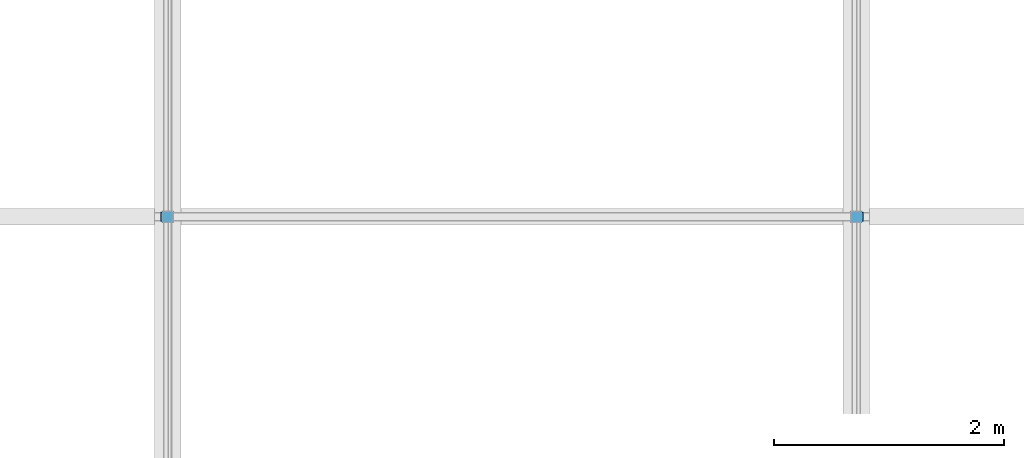
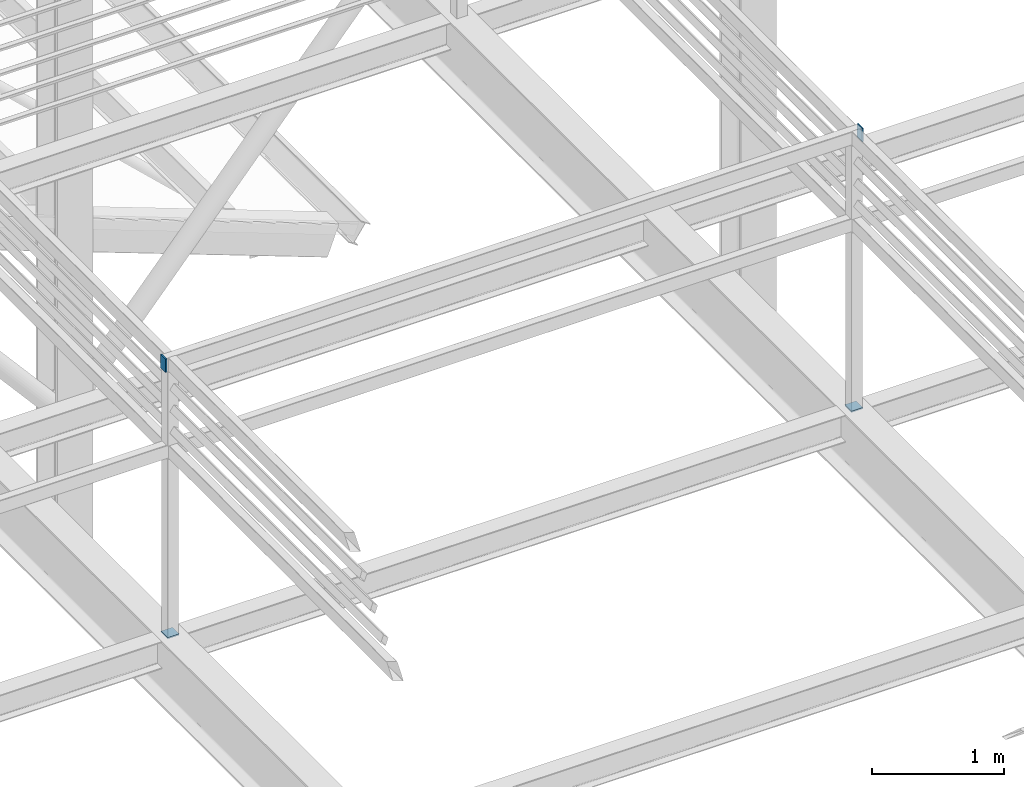
# One storey, part 43 of 57: 4 discrete accessories.
"""IFC4 building model written with IfcOpenShell, lengths in metres."""

import ifcopenshell
import ifcopenshell.guid

model = None  # the IFC model being written
_history = None  # IfcOwnerHistory: only IFC2X3 demands one
_inside = {}  # id of a spatial element -> (the spatial element, [elements in it])
_under = {}  # id of a project, library or spatial element -> (it, [spatial elements below it])
_declared = {}  # id of a project -> (the project, [libraries it declares])
_typed = {}  # id of a type object -> (the type object, [elements of that type])
_made_of = {}  # id of a material, layer set ... -> (it, [elements and type objects made of it])


def new_model(schema):
    """Start an empty IFC model of exactly this schema.

    Asked for "IFC4X3", IfcOpenShell would pick the latest addendum, in which some entities
    have other attributes; the version numbers below select the first issue.
    IFC2X3 requires an IfcOwnerHistory on every rooted entity: one is made here for all.
    """
    global model, _history
    if schema == "IFC4X3":
        model = ifcopenshell.file(schema_version=(4, 3, 0, 0))
    else:
        model = ifcopenshell.file(schema=schema)
    _inside.clear()
    _under.clear()
    _declared.clear()
    _typed.clear()
    _made_of.clear()
    _history = None
    if model.schema == "IFC2X3":
        org = make("IfcOrganization", Name="unknown")
        user = make(
            "IfcPersonAndOrganization",
            ThePerson=make("IfcPerson", FamilyName="unknown"),
            TheOrganization=org,
        )
        app = make(
            "IfcApplication",
            ApplicationDeveloper=org,
            Version="unknown",
            ApplicationFullName="unknown",
            ApplicationIdentifier="unknown",
        )
        _history = make(
            "IfcOwnerHistory",
            OwningUser=user,
            OwningApplication=app,
            ChangeAction="ADDED",
            CreationDate=0,
        )
    return model


def make(cls, **values):
    """One entity of the class cls with the attributes given. An attribute that is None is left unset."""
    return model.create_entity(
        cls, **{name: value for name, value in values.items() if value is not None}
    )


def rooted(cls, **values):
    """An entity with a GlobalId (a new one), such as an element, a storey or a relation."""
    return make(cls, GlobalId=ifcopenshell.guid.new(), OwnerHistory=_history, **values)


def si_unit(unit_type, name, prefix=None):
    """IfcSIUnit, for example si_unit("LENGTHUNIT", "METRE", prefix="MILLI")."""
    return make("IfcSIUnit", UnitType=unit_type, Prefix=prefix, Name=name)


def assignment(units):
    """IfcUnitAssignment: the units of a project."""
    return None if units is None else make("IfcUnitAssignment", Units=units)


def point(xyz):
    """IfcCartesianPoint."""
    return None if xyz is None else make("IfcCartesianPoint", Coordinates=xyz)


def direction(xyz):
    """IfcDirection."""
    return None if xyz is None else make("IfcDirection", DirectionRatios=xyz)


def frame(location, z_axis=None, x_axis=None):
    """IfcAxis2Placement3D, a coordinate frame: its origin and axes. An axis left out is left unset."""
    return make(
        "IfcAxis2Placement3D",
        Location=point(location),
        Axis=direction(z_axis),
        RefDirection=direction(x_axis),
    )


def frame_2d(location, x_axis=None):
    """IfcAxis2Placement2D, a coordinate frame in the plane: its origin and x axis."""
    return make(
        "IfcAxis2Placement2D", Location=point(location), RefDirection=direction(x_axis)
    )


def origin():
    """The frame at (0, 0, 0) with its axes left unset."""
    return frame((0.0, 0.0, 0.0))


def origin_2d():
    """The frame at (0, 0) in the plane with its x axis left unset."""
    return frame_2d((0.0, 0.0))


def place(relative_to, where):
    """IfcLocalPlacement: puts the frame where relative to a parent placement (None: the world)."""
    return make(
        "IfcLocalPlacement", PlacementRelTo=relative_to, RelativePlacement=where
    )


def context(
    kind, dimensions, precision=None, world=None, true_north=None, identifier=None
):
    """IfcGeometricRepresentationContext, for example the 3D "Model" context."""
    return make(
        "IfcGeometricRepresentationContext",
        ContextIdentifier=identifier,
        ContextType=kind,
        CoordinateSpaceDimension=dimensions,
        Precision=precision,
        WorldCoordinateSystem=world,
        TrueNorth=true_north,
    )


def subcontext(parent, identifier, kind, view, scale=None):
    """IfcGeometricRepresentationSubContext, for example "Body" below "Model"."""
    return make(
        "IfcGeometricRepresentationSubContext",
        ContextIdentifier=identifier,
        ContextType=kind,
        ParentContext=parent,
        TargetScale=scale,
        TargetView=view,
    )


def project(units=None, contexts=None):
    """IfcProject with its units and contexts."""
    return rooted(
        "IfcProject",
        Name="project",
        RepresentationContexts=contexts,
        UnitsInContext=assignment(units),
    )


def spatial(cls, under=None, at=None, **own):
    """A site, building, storey or space (cls), placed at a placement, below another one or the project."""
    s = rooted(cls, ObjectPlacement=at, **own)
    if under is not None:
        _under.setdefault(under.id(), (under, []))[1].append(s)
    return s


def profile(cls, at=None, kind="AREA", **sizes):
    """A parametric profile (cls). Its sizes go by their IFC names, for example OverallWidth=200.0."""
    return make(cls, ProfileType=kind, Position=at, **sizes)


def rectangle(**sizes):
    """IfcRectangleProfileDef."""
    return profile("IfcRectangleProfileDef", **sizes)


def extrude(swept, where, along, depth):
    """IfcExtrudedAreaSolid: the profile swept, set in the frame where, extruded along a direction by depth."""
    return make(
        "IfcExtrudedAreaSolid",
        SweptArea=swept,
        Position=where,
        ExtrudedDirection=direction(along),
        Depth=depth,
    )


def shape(context_of_items, identifier, shape_type, items):
    """IfcShapeRepresentation: the items that make up one representation, for example the "Body"."""
    return make(
        "IfcShapeRepresentation",
        ContextOfItems=context_of_items,
        RepresentationIdentifier=identifier,
        RepresentationType=shape_type,
        Items=items,
    )


def material(Name=None, Category=None):
    """IfcMaterial."""
    return make("IfcMaterial", Name=Name, Category=Category)


def material_profile(
    of_material, cross_section, Name=None, Category=None, Priority=None
):
    """IfcMaterialProfile: a cross section and its material."""
    return make(
        "IfcMaterialProfile",
        Name=Name,
        Material=of_material,
        Profile=cross_section,
        Priority=Priority,
        Category=Category,
    )


def profile_set(profiles, Name=None, composite=None):
    """IfcMaterialProfileSet."""
    return make(
        "IfcMaterialProfileSet",
        Name=Name,
        MaterialProfiles=profiles,
        CompositeProfile=composite,
    )


def made_of(thing, what):
    """Note that an element or type object is made of a material, layer set ...; save() writes the relation."""
    if what is not None:
        _made_of.setdefault(what.id(), (what, []))[1].append(thing)
    return thing


def type_object(cls, material=None, **own):
    """A type object (cls), such as IfcWallType, which elements share."""
    return made_of(rooted(cls, **own), material)


def element(
    cls,
    number,
    at=None,
    inside=None,
    cuts=None,
    type_object=None,
    material=None,
    context=None,
    identifier="Body",
    shape_type=None,
    held_by="IfcProductDefinitionShape",
    body=None,
    shapes=None,
    **own,
):
    """One element of the class cls, such as IfcWall. Its Tag is "e" and its number.

    at: its placement. inside: the storey or other place that contains it. cuts: it is an
    opening in that element (IfcRelVoidsElement). A single representation is given by context,
    identifier, shape_type and body (its items); several are given by shapes. held_by: the class
    of the entity that holds the representations. save() writes the other relations.
    """
    e = rooted(cls, Tag="e%d" % number, ObjectPlacement=at, **own)
    if body is not None:
        shapes = [shape(context, identifier, shape_type, body)]
    if shapes is not None:
        e.Representation = make(held_by, Representations=shapes)
    if inside is not None:
        _inside.setdefault(inside.id(), (inside, []))[1].append(e)
    if cuts is not None:
        rooted(
            "IfcRelVoidsElement", RelatingBuildingElement=cuts, RelatedOpeningElement=e
        )
    if type_object is not None:
        _typed.setdefault(type_object.id(), (type_object, []))[1].append(e)
    return made_of(e, material)


def aggregate(whole, parts):
    """IfcRelAggregates: a whole, such as a stair, and the parts it consists of."""
    return rooted("IfcRelAggregates", RelatingObject=whole, RelatedObjects=parts)


def save(model, path):
    """Write the relations noted so far, then the file.

    IfcRelAggregates (storeys below a building ...), IfcRelContainedInSpatialStructure (elements
    in a storey), IfcRelDefinesByType, IfcRelAssociatesMaterial and IfcRelDeclares: one each for
    every whole, place, type object, material and project.
    """
    for whole, parts in _under.values():
        aggregate(whole, parts)
    for where, things in _inside.values():
        rooted(
            "IfcRelContainedInSpatialStructure",
            RelatedElements=things,
            RelatingStructure=where,
        )
    for kind, things in _typed.values():
        rooted("IfcRelDefinesByType", RelatedObjects=things, RelatingType=kind)
    for what, things in _made_of.values():
        rooted("IfcRelAssociatesMaterial", RelatedObjects=things, RelatingMaterial=what)
    for by, libraries in _declared.values():
        rooted("IfcRelDeclares", RelatingContext=by, RelatedDefinitions=libraries)
    model.write(path)


model = new_model("IFC4")

# Units and contexts
model_context = context("Model", 3, precision=1e-05, world=origin(), true_north=direction((0.0, 1.0)))
body_context = subcontext(model_context, "Body", "Model", "MODEL_VIEW")
ifc_project = project(units=[si_unit("LENGTHUNIT", "METRE"), si_unit("AREAUNIT", "SQUARE_METRE"), si_unit("VOLUMEUNIT", "CUBIC_METRE"), si_unit("PLANEANGLEUNIT", "RADIAN"), si_unit("MASSUNIT", "GRAM", prefix="KILO")], contexts=[model_context])

# Site, building, storey
site_placement = place(None, origin())
site = spatial("IfcSite", under=ifc_project, at=site_placement, CompositionType="ELEMENT")
building_placement = place(site_placement, origin())
building = spatial("IfcBuilding", under=site, at=building_placement, Name="Saffron Lane Theatres", CompositionType="ELEMENT")
storey_placement = place(building_placement, frame((0.0, 0.0, 28.0)))
storey = spatial("IfcBuildingStorey", under=building, at=storey_placement, Name="Upper Roof", CompositionType="ELEMENT", Elevation=28.0)

# Discrete accessories
ifc_material_1 = material(Name="Steel Grade 350", Category="steel")
ifc_material_profile_1 = material_profile(ifc_material_1, rectangle(XDim=0.10009765625, YDim=0.10009765625, at=origin_2d()))
ifc_profile_set_1 = profile_set([ifc_material_profile_1], Name="Steel Grade 350")
discrete_accessory_type_1 = type_object("IfcDiscreteAccessoryType", Name="ST-STEEL END CAP 100x100x6 SHS", PredefinedType="ANCHORPLATE", material=ifc_profile_set_1)
for number, where, z_axis, x_axis, name in (
    (1, (30.0, 42.25, 8.837890625), (0.0, 0.0, 1.0), (1.0, 0.0, 0.0), "EC119"),
    (2, (36.0, 42.25, 8.837890625), (0.0, 0.0, 1.0), (1.0, 0.0, 0.0), "EC122"),
):
    element("IfcDiscreteAccessory", number, at=place(storey_placement, frame(where, z_axis=z_axis, x_axis=x_axis)), inside=storey, type_object=discrete_accessory_type_1, Name=name, PredefinedType="ANCHORPLATE", context=body_context, shape_type="SweptSolid", body=[
        extrude(rectangle(XDim=0.10009765625, YDim=0.10009765625, at=origin_2d()), origin(), (0.0, 0.0, 1.0), 0.01220703125),
    ])
ifc_material_2 = material(Name="Steel Grade 350", Category="steel")
ifc_material_profile_2 = material_profile(ifc_material_2, rectangle(XDim=0.074951171875, YDim=0.125, at=origin_2d()))
ifc_profile_set_2 = profile_set([ifc_material_profile_2], Name="Steel Grade 350")
discrete_accessory_type_2 = type_object("IfcDiscreteAccessoryType", Name="ST-STEEL END CAP 125x75x5 RHS", PredefinedType="ANCHORPLATE", material=ifc_profile_set_2)
for number, where, z_axis, x_axis, name in (
    (3, (29.93798828125, 42.25, 11.367431640625), (1.0, 0.0, 0.0), (0.0, 1.0, 0.0), "EC143"),
    (4, (36.050048828125, 42.25, 11.367431640625), (1.0, 0.0, 0.0), (0.0, 1.0, 0.0), "EC144"),
):
    element("IfcDiscreteAccessory", number, at=place(storey_placement, frame(where, z_axis=z_axis, x_axis=x_axis)), inside=storey, type_object=discrete_accessory_type_2, Name=name, PredefinedType="ANCHORPLATE", context=body_context, shape_type="SweptSolid", body=[
        extrude(rectangle(XDim=0.074951171875, YDim=0.125, at=origin_2d()), origin(), (0.0, 0.0, 1.0), 0.011962890625),
    ])

save(model, "model.ifc")
